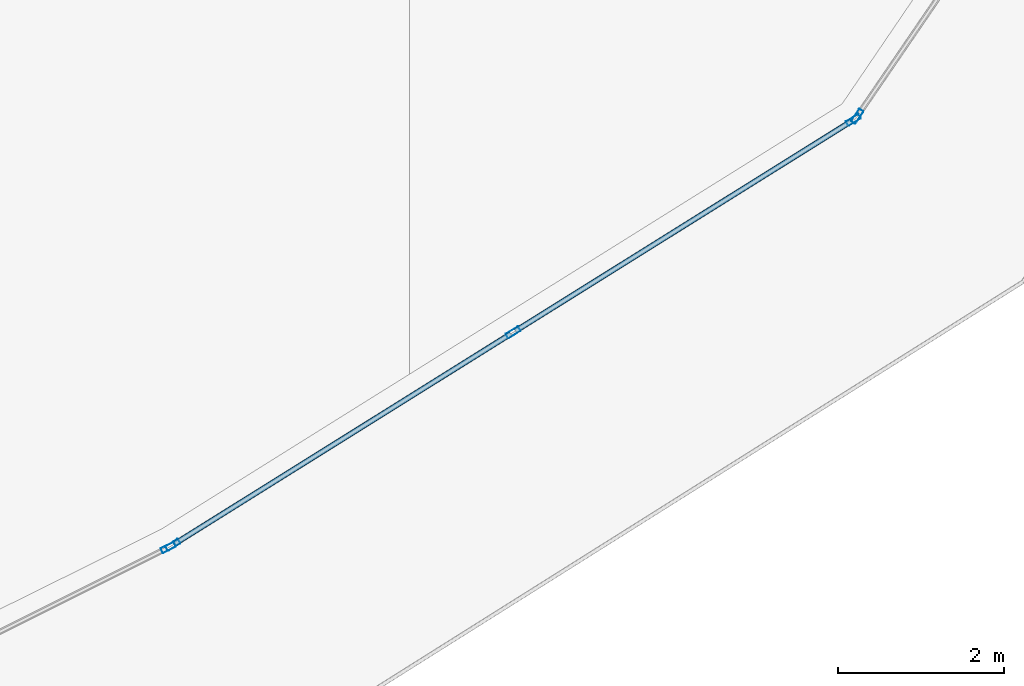
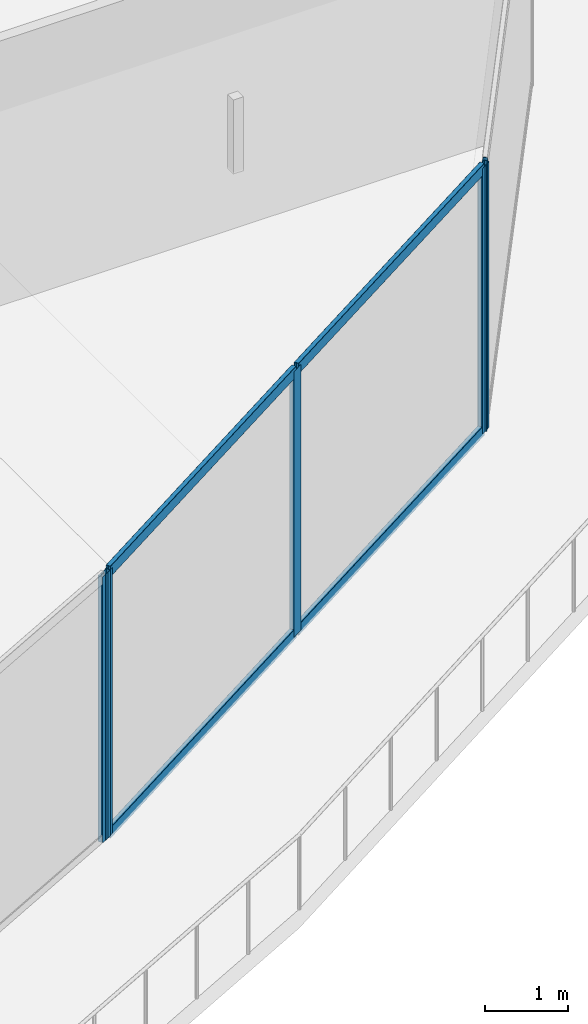
# One storey, part 9 of 44: 9 members, 3 elements without a shape of their own.
"""IFC4 building model written with IfcOpenShell, lengths in metres."""

from ifc_helpers import new_model, si_unit, direction, frame, origin, origin_2d, place, context, subcontext, project, spatial, hollow_rectangle, extrude, material, layer, layer_set, material_profile, profile_set, type_object, element, aggregate, save


model = new_model("IFC4")

# Units and contexts
model_context = context("Model", 3, precision=1e-05, world=origin(), true_north=direction((0.0, 1.0)))
body_context = subcontext(model_context, "Body", "Model", "MODEL_VIEW")
ifc_project = project(units=[si_unit("LENGTHUNIT", "METRE"), si_unit("AREAUNIT", "SQUARE_METRE"), si_unit("VOLUMEUNIT", "CUBIC_METRE"), si_unit("PLANEANGLEUNIT", "RADIAN"), si_unit("MASSUNIT", "GRAM", prefix="KILO")], contexts=[model_context])

# Site, building, storey
site_placement = place(None, origin())
site = spatial("IfcSite", under=ifc_project, at=site_placement, CompositionType="ELEMENT")
building_placement = place(site_placement, origin())
building = spatial("IfcBuilding", under=site, at=building_placement, Name="Qorvath Tower", CompositionType="ELEMENT")
storey_placement = place(building_placement, frame((0.0, 0.0, 70.199951171875)))
storey = spatial("IfcBuildingStorey", under=building, at=storey_placement, Name="L15", CompositionType="ELEMENT", Elevation=70.199951171875)

# Curtain wall, member
ifc_material_1 = material(Name="Anodised aluminium and triple low-E glass", Category="aluminium")
ifc_layer = layer(ifc_material_1, 0.179931640625)
ifc_layer_set = layer_set([ifc_layer], Name="CW-SYS-2")
curtain_wall_type = type_object("IfcCurtainWallType", Name="CW-SYS-2", PredefinedType="NOTDEFINED", material=ifc_layer_set)
curtain_wall_1_placement = place(storey_placement, origin())
curtain_wall_1 = element("IfcCurtainWall", 1, at=curtain_wall_1_placement, inside=storey, type_object=curtain_wall_type, Name="Curtain Wall CW-2 CW-T-L15-3.1", PredefinedType="NOTDEFINED")
ifc_material_2 = material(Name="Anodised aluminium 6063-T6", Category="aluminium")
ifc_material_profile_1 = material_profile(ifc_material_2, hollow_rectangle(XDim=0.06494140625, YDim=0.179931640625, WallThickness=0.00341796875, InnerFilletRadius=0.00341796875, OuterFilletRadius=0.007080078125, at=origin_2d()), Name="CWM 180x65")
ifc_profile_set_1 = profile_set([ifc_material_profile_1], Name="Anodised aluminium 6063-T6")
member_type_1 = type_object("IfcMemberType", Name="CWM-180", PredefinedType="MULLION", material=ifc_profile_set_1)
member_1_placement = place(storey_placement, frame((-10.5361328125, -30.225830078125, 0.0), z_axis=(0.0, 0.0, 1.0), x_axis=(-0.447221292931, 0.894423342243, 0.0)))
member_1 = element("IfcMember", 2, at=member_1_placement, type_object=member_type_1, Name="CW-2 mullion 2", PredefinedType="MULLION", context=body_context, shape_type="SweptSolid", body=[
    extrude(hollow_rectangle(XDim=0.06494140625, YDim=0.179931640625, WallThickness=0.00341796875, InnerFilletRadius=0.00341796875, OuterFilletRadius=0.007080078125, at=origin_2d()), origin(), (0.0, 0.0, 1.0), 3.920166015625),
])
aggregate(curtain_wall_1, [member_1])

# Curtain wall, members
curtain_wall_2_placement = place(storey_placement, origin())
curtain_wall_2 = element("IfcCurtainWall", 3, at=curtain_wall_2_placement, inside=storey, type_object=curtain_wall_type, Name="Curtain Wall CW-2 CW-T-L15-4.1", PredefinedType="NOTDEFINED")
member_2_placement = place(storey_placement, frame((-10.4794921875, -30.194091796875, 0.0), z_axis=(0.0, 0.0, 1.0), x_axis=(-0.529686145055, 0.848193720642, 0.0)))
member_2 = element("IfcMember", 4, at=member_2_placement, type_object=member_type_1, Name="CW-2 mullion 1", PredefinedType="MULLION", context=body_context, shape_type="SweptSolid", body=[
    extrude(hollow_rectangle(XDim=0.06494140625, YDim=0.179931640625, WallThickness=0.00341796875, InnerFilletRadius=0.00341796875, OuterFilletRadius=0.007080078125, at=origin_2d()), origin(), (0.0, 0.0, 1.0), 3.920166015625),
])
member_3_placement = place(storey_placement, frame((-6.375244140625, -27.630859375, 0.0), z_axis=(0.0, 0.0, 1.0), x_axis=(-0.529686145055, 0.848193720642, 0.0)))
member_3 = element("IfcMember", 5, at=member_3_placement, type_object=member_type_1, Name="CW-2 mullion 2", PredefinedType="MULLION", context=body_context, shape_type="SweptSolid", body=[
    extrude(hollow_rectangle(XDim=0.06494140625, YDim=0.179931640625, WallThickness=0.00341796875, InnerFilletRadius=0.00341796875, OuterFilletRadius=0.007080078125, at=origin_2d()), origin(), (0.0, 0.0, 1.0), 3.920166015625),
])
member_4_placement = place(storey_placement, frame((-2.270751953125, -25.067626953125, 0.0), z_axis=(0.0, 0.0, 1.0), x_axis=(-0.529686145055, 0.848193720642, 0.0)))
member_4 = element("IfcMember", 6, at=member_4_placement, type_object=member_type_1, Name="CW-2 mullion 3", PredefinedType="MULLION", context=body_context, shape_type="SweptSolid", body=[
    extrude(hollow_rectangle(XDim=0.06494140625, YDim=0.179931640625, WallThickness=0.00341796875, InnerFilletRadius=0.00341796875, OuterFilletRadius=0.007080078125, at=origin_2d()), origin(), (0.0, 0.0, 1.0), 3.920166015625),
])

# Curtain wall, member
curtain_wall_3_placement = place(storey_placement, origin())
curtain_wall_3 = element("IfcCurtainWall", 7, at=curtain_wall_3_placement, inside=storey, type_object=curtain_wall_type, Name="Curtain Wall CW-2 CW-T-L15-5.1", PredefinedType="NOTDEFINED")
member_5_placement = place(storey_placement, frame((-2.224853515625, -25.023681640625, 0.0), z_axis=(0.0, 0.0, 1.0), x_axis=(-0.825792265854, 0.563974408689, 0.0)))
member_5 = element("IfcMember", 8, at=member_5_placement, type_object=member_type_1, Name="CW-2 mullion 1", PredefinedType="MULLION", context=body_context, shape_type="SweptSolid", body=[
    extrude(hollow_rectangle(XDim=0.06494140625, YDim=0.179931640625, WallThickness=0.00341796875, InnerFilletRadius=0.00341796875, OuterFilletRadius=0.007080078125, at=origin_2d()), origin(), (0.0, 0.0, 1.0), 3.920166015625),
])
aggregate(curtain_wall_3, [member_5])

# Member
ifc_material_3 = material(Name="Anodised aluminium 6063-T6", Category="aluminium")
ifc_material_profile_2 = material_profile(ifc_material_3, hollow_rectangle(XDim=0.06494140625, YDim=0.159912109375, WallThickness=0.00341796875, InnerFilletRadius=0.00341796875, OuterFilletRadius=0.007080078125, at=origin_2d()), Name="CWT 160x65")
ifc_profile_set_2 = profile_set([ifc_material_profile_2], Name="Anodised aluminium 6063-T6")
member_type_2 = type_object("IfcMemberType", Name="CWT-160", PredefinedType="USERDEFINED", material=ifc_profile_set_2)
member_6_placement = place(storey_placement, frame((-10.451904296875, -30.1767578125, 0.032470703125), z_axis=(0.848173516131, 0.529718497443, 0.0), x_axis=(-0.529718497443, 0.848173516131, 0.0)))
member_6 = element("IfcMember", 9, at=member_6_placement, type_object=member_type_2, Name="CW-2 transom 1.1", ObjectType="TRANSOM", PredefinedType="USERDEFINED", context=body_context, shape_type="SweptSolid", body=[
    extrude(hollow_rectangle(XDim=0.06494140625, YDim=0.159912109375, WallThickness=0.00341796875, InnerFilletRadius=0.00341796875, OuterFilletRadius=0.007080078125, at=origin_2d()), origin(), (0.0, 0.0, 1.0), 4.77392578125),
])

member_7_placement = place(storey_placement, frame((-10.451904296875, -30.1767578125, 3.8876953125), z_axis=(0.848173516131, 0.529718497443, 0.0), x_axis=(-0.529718497443, 0.848173516131, 0.0)))
member_7 = element("IfcMember", 10, at=member_7_placement, type_object=member_type_2, Name="CW-2 transom 1.2", ObjectType="TRANSOM", PredefinedType="USERDEFINED", context=body_context, shape_type="SweptSolid", body=[
    extrude(hollow_rectangle(XDim=0.06494140625, YDim=0.159912109375, WallThickness=0.00341796875, InnerFilletRadius=0.00341796875, OuterFilletRadius=0.007080078125, at=origin_2d()), origin(), (0.0, 0.0, 1.0), 4.77392578125),
])

member_8_placement = place(storey_placement, frame((-6.34765625, -27.613525390625, 0.032470703125), z_axis=(0.848210840974, 0.529658729046, 0.0), x_axis=(-0.529658729046, 0.848210840974, 0.0)))
member_8 = element("IfcMember", 11, at=member_8_placement, type_object=member_type_2, Name="CW-2 transom 2.1", ObjectType="TRANSOM", PredefinedType="USERDEFINED", context=body_context, shape_type="SweptSolid", body=[
    extrude(hollow_rectangle(XDim=0.06494140625, YDim=0.159912109375, WallThickness=0.00341796875, InnerFilletRadius=0.00341796875, OuterFilletRadius=0.007080078125, at=origin_2d()), origin(), (0.0, 0.0, 1.0), 4.77392578125),
])

member_9_placement = place(storey_placement, frame((-6.34765625, -27.613525390625, 3.8876953125), z_axis=(0.848210840974, 0.529658729046, 0.0), x_axis=(-0.529658729046, 0.848210840974, 0.0)))
member_9 = element("IfcMember", 12, at=member_9_placement, type_object=member_type_2, Name="CW-2 transom 2.2", ObjectType="TRANSOM", PredefinedType="USERDEFINED", context=body_context, shape_type="SweptSolid", body=[
    extrude(hollow_rectangle(XDim=0.06494140625, YDim=0.159912109375, WallThickness=0.00341796875, InnerFilletRadius=0.00341796875, OuterFilletRadius=0.007080078125, at=origin_2d()), origin(), (0.0, 0.0, 1.0), 4.77392578125),
])

aggregate(curtain_wall_2, [member_2, member_3, member_4, member_6, member_7, member_8, member_9])

save(model, "model.ifc")
